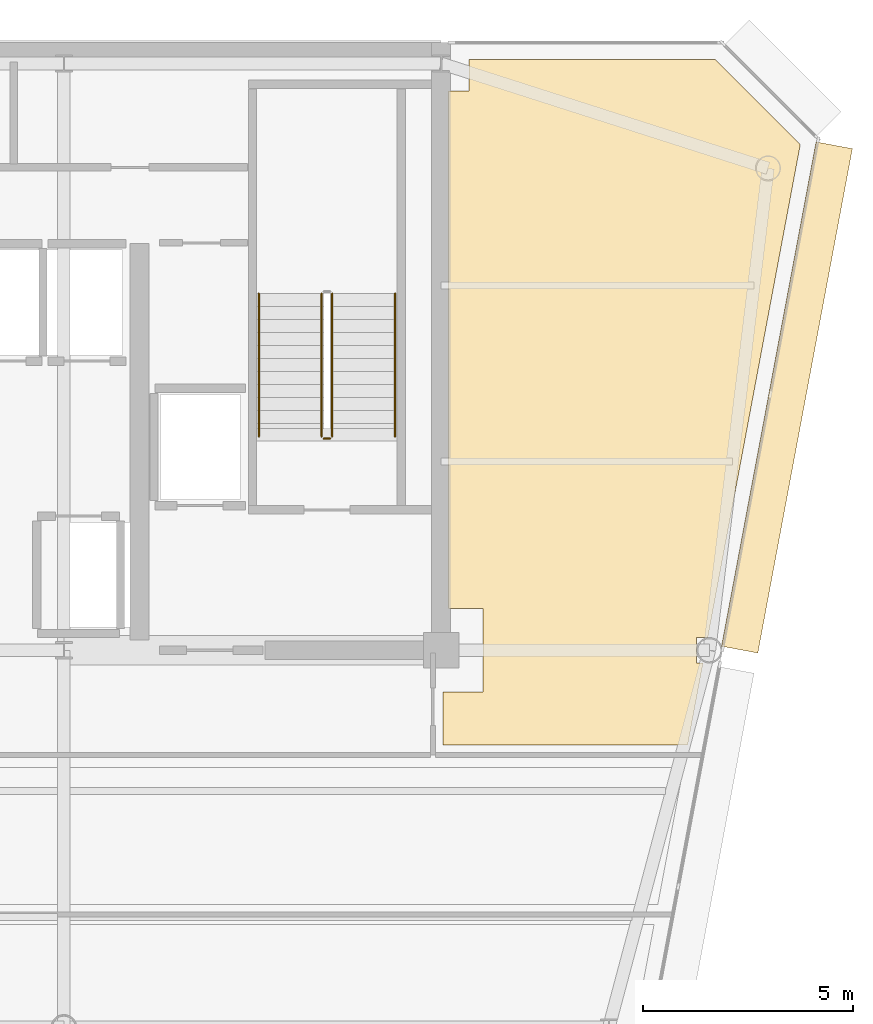
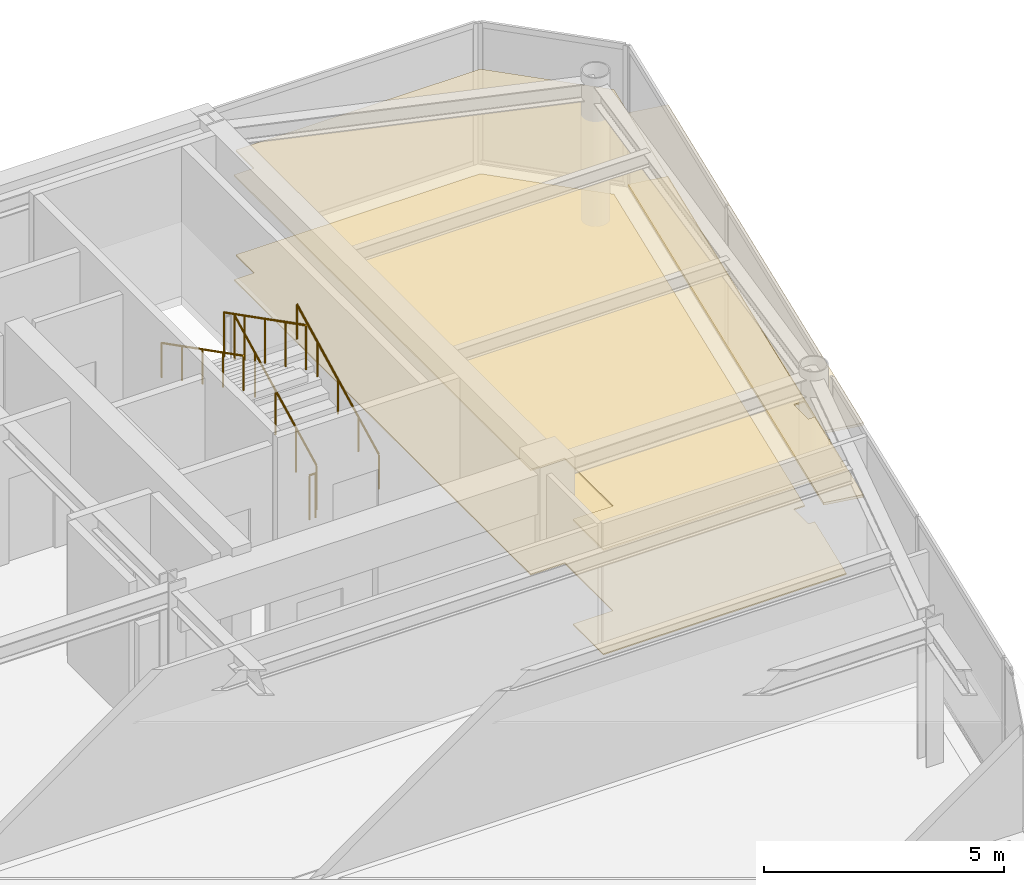
# One storey, part 17 of 20: 5 railings, 4 coverings.
"""IFC4 building model written with IfcOpenShell, lengths in metres."""

from ifc_helpers import new_model, si_unit, direction, frame, origin, origin_2d, place, context, subcontext, project, spatial, polyline, rectangle, circle, outline, extrude, source, transform, mapped, material, layer, layer_set, type_object, element, save


model = new_model("IFC4")

# Units and contexts
model_context = context("Model", 3, precision=1e-05, world=origin(), true_north=direction((0.0, 1.0)))
body_context = subcontext(model_context, "Body", "Model", "MODEL_VIEW")
ifc_project = project(units=[si_unit("LENGTHUNIT", "METRE"), si_unit("AREAUNIT", "SQUARE_METRE"), si_unit("VOLUMEUNIT", "CUBIC_METRE"), si_unit("PLANEANGLEUNIT", "RADIAN"), si_unit("MASSUNIT", "GRAM", prefix="KILO")], contexts=[model_context])

# Site, building, storey
site_placement = place(None, origin())
site = spatial("IfcSite", under=ifc_project, at=site_placement, CompositionType="ELEMENT")
building_placement = place(site_placement, origin())
building = spatial("IfcBuilding", under=site, at=building_placement, Name="Vaeldorn Concourse Tower", CompositionType="ELEMENT")
storey_placement = place(building_placement, frame((0.0, 0.0, 280.199951171875)))
storey = spatial("IfcBuildingStorey", under=building, at=storey_placement, Name="L72", CompositionType="ELEMENT", Elevation=280.199951171875)

# Coverings
ifc_material_1 = material(Name="Acoustic Mineral Fibre Board", Category="gypsum")
ifc_layer_1 = layer(ifc_material_1, 0.0400390625)
ifc_layer_set_1 = layer_set([ifc_layer_1], Name="Acoustic Mineral Fibre Board")
covering_type_1 = type_object("IfcCoveringType", Name="COV-CEIL-ACOUSTIC", PredefinedType="CEILING", material=ifc_layer_set_1)
covering_1_placement = place(storey_placement, frame((0.0, 0.0, 2.650146484375)))
element("IfcCovering", 1, at=covering_1_placement, inside=storey, type_object=covering_type_1, Name="Suspended Acoustic Ceiling L72-5", PredefinedType="CEILING", context=body_context, shape_type="SweptSolid", body=[
    extrude(outline(polyline([(54.179931640625, 49.840087890625), (54.659912109375, 49.840087890625), (54.659912109375, 50.60009765625), (60.5341796875, 50.60009765625), (62.568115234375, 48.56640625), (60.459716796875, 37.320068359375), (60.459716796875, 37.320068359375), (60.36328125, 36.804931640625), (60.094970703125, 36.804931640625), (60.094970703125, 36.195068359375), (60.248779296875, 36.195068359375), (59.88232421875, 34.239990234375), (54.0400390625, 34.239990234375), (54.0400390625, 35.5), (55.0, 35.5), (55.0, 37.5), (54.179931640625, 37.5), (54.179931640625, 49.840087890625)])), origin(), (0.0, 0.0, 1.0), 0.039794921875),
])
ifc_material_2 = material(Name="Honed Limestone Terrazzo Flooring", Category="masonry")
ifc_layer_2 = layer(ifc_material_2, 0.0400390625)
ifc_layer_set_2 = layer_set([ifc_layer_2], Name="Honed Limestone Terrazzo Flooring")
covering_type_2 = type_object("IfcCoveringType", Name="COV-FLOOR-STONE", PredefinedType="FLOORING", material=ifc_layer_set_2)
covering_2_placement = place(storey_placement, origin())
element("IfcCovering", 2, at=covering_2_placement, inside=storey, type_object=covering_type_2, Name="Floor Finish Covering L72-5", PredefinedType="FLOORING", context=body_context, shape_type="SweptSolid", body=[
    extrude(outline(polyline([(54.179931640625, 49.840087890625), (54.659912109375, 49.840087890625), (54.659912109375, 50.60009765625), (60.5341796875, 50.60009765625), (62.568115234375, 48.56640625), (60.459716796875, 37.320068359375), (60.459716796875, 37.320068359375), (60.36328125, 36.804931640625), (60.094970703125, 36.804931640625), (60.094970703125, 36.195068359375), (60.248779296875, 36.195068359375), (59.88232421875, 34.239990234375), (54.0400390625, 34.239990234375), (54.0400390625, 35.5), (55.0, 35.5), (55.0, 37.5), (54.179931640625, 37.5), (54.179931640625, 49.840087890625)])), origin(), (0.0, 0.0, 1.0), 0.030029296875),
])

# Railings
ifc_material_3 = material(Name="Anodised Bronze Aluminium", Category="aluminium")
railing_type_1 = type_object("IfcRailingType", Name="RL-STAIR-GUARD", PredefinedType="GUARDRAIL", material=ifc_material_3)
railing_1_placement = place(storey_placement, frame((51.39990234375, 41.60009765625, 0.158447265625)))
element("IfcRailing", 3, at=railing_1_placement, inside=storey, type_object=railing_type_1, Name="L72 ST-2 stair guard 1", PredefinedType="GUARDRAIL", context=body_context, shape_type="SweptSolid", body=[
    extrude(circle(Radius=0.02392578125, at=origin_2d()), frame((0.0, 0.0, 1.1259765625), z_axis=(0.0, 0.890555807335, 0.454873997962), x_axis=(-1.0, 0.0, 0.0)), (0.0, 0.0, 1.0), 3.828857421875),
    extrude(circle(Radius=0.02099609375, at=origin_2d()), origin(), (0.0, 0.0, 1.0), 1.101806640625),
    extrude(circle(Radius=0.02099609375, at=origin_2d()), frame((0.0, 0.8525390625, 0.435546875)), (0.0, 0.0, 1.0), 1.101806640625),
    extrude(circle(Radius=0.02099609375, at=origin_2d()), frame((0.0, 1.705078125, 0.870849609375)), (0.0, 0.0, 1.0), 1.101806640625),
    extrude(circle(Radius=0.02099609375, at=origin_2d()), frame((0.0, 2.557373046875, 1.30615234375)), (0.0, 0.0, 1.0), 1.101806640625),
    extrude(circle(Radius=0.02099609375, at=origin_2d()), frame((0.0, 3.409912109375, 1.74169921875)), (0.0, 0.0, 1.0), 1.101806640625),
])
railing_2_placement = place(storey_placement, frame((51.14990234375, 45.010009765625, 2.058349609375)))
element("IfcRailing", 4, at=railing_2_placement, inside=storey, type_object=railing_type_1, Name="L72 ST-2 stair guard 3", PredefinedType="GUARDRAIL", context=body_context, shape_type="SweptSolid", body=[
    extrude(circle(Radius=0.02392578125, at=origin_2d()), frame((0.0, 0.0, 1.1259765625), z_axis=(0.0, -0.890555807335, 0.454873997962), x_axis=(1.0, 0.0, 0.0)), (0.0, 0.0, 1.0), 3.828857421875),
    extrude(circle(Radius=0.02099609375, at=origin_2d()), origin(), (0.0, 0.0, 1.0), 1.101806640625),
    extrude(circle(Radius=0.02099609375, at=origin_2d()), frame((0.0, -0.8525390625, 0.435546875)), (0.0, 0.0, 1.0), 1.101806640625),
    extrude(circle(Radius=0.02099609375, at=origin_2d()), frame((0.0, -1.705078125, 0.870849609375)), (0.0, 0.0, 1.0), 1.101806640625),
    extrude(circle(Radius=0.02099609375, at=origin_2d()), frame((0.0, -2.557373046875, 1.30615234375)), (0.0, 0.0, 1.0), 1.101806640625),
    extrude(circle(Radius=0.02099609375, at=origin_2d()), frame((0.0, -3.409912109375, 1.74169921875)), (0.0, 0.0, 1.0), 1.101806640625),
])
railing_3_placement = place(storey_placement, frame((51.35009765625, 41.550048828125, 0.0)))
element("IfcRailing", 5, at=railing_3_placement, inside=storey, type_object=railing_type_1, Name="L72 ST-2 stair guard 4", PredefinedType="GUARDRAIL", context=body_context, shape_type="SweptSolid", body=[
    extrude(circle(Radius=0.02392578125, at=origin_2d()), frame((0.0, 0.0, 1.1259765625), z_axis=(-1.0, 0.0, 0.0), x_axis=(0.0, -1.0, 0.0)), (0.0, 0.0, 1.0), 0.150146484375),
    extrude(circle(Radius=0.02099609375, at=origin_2d()), origin(), (0.0, 0.0, 1.0), 1.101806640625),
    extrude(circle(Radius=0.02099609375, at=origin_2d()), frame((-0.150146484375, 0.0, 0.0)), (0.0, 0.0, 1.0), 1.101806640625),
])
railing_type_2 = type_object("IfcRailingType", Name="RL-STAIR-HANDRAIL", PredefinedType="HANDRAIL", material=ifc_material_3)
railing_4_placement = place(storey_placement, frame((52.89990234375, 41.60009765625, 0.158447265625)))
element("IfcRailing", 6, at=railing_4_placement, inside=storey, type_object=railing_type_2, Name="L72 ST-2 stair handrail 1", PredefinedType="HANDRAIL", context=body_context, shape_type="SweptSolid", body=[
    extrude(circle(Radius=0.02392578125, at=origin_2d()), frame((0.0, 0.0, 0.8759765625), z_axis=(0.0, 0.890555807335, 0.454873997962), x_axis=(-1.0, 0.0, 0.0)), (0.0, 0.0, 1.0), 3.828857421875),
    extrude(circle(Radius=0.02099609375, at=origin_2d()), origin(), (0.0, 0.0, 1.0), 0.851806640625),
    extrude(circle(Radius=0.02099609375, at=origin_2d()), frame((0.0, 0.8525390625, 0.435546875)), (0.0, 0.0, 1.0), 0.851806640625),
    extrude(circle(Radius=0.02099609375, at=origin_2d()), frame((0.0, 1.705078125, 0.870849609375)), (0.0, 0.0, 1.0), 0.851806640625),
    extrude(circle(Radius=0.02099609375, at=origin_2d()), frame((0.0, 2.557373046875, 1.30615234375)), (0.0, 0.0, 1.0), 0.851806640625),
    extrude(circle(Radius=0.02099609375, at=origin_2d()), frame((0.0, 3.409912109375, 1.74169921875)), (0.0, 0.0, 1.0), 0.851806640625),
])
railing_5_placement = place(storey_placement, frame((49.64990234375, 45.010009765625, 2.058349609375)))
element("IfcRailing", 7, at=railing_5_placement, inside=storey, type_object=railing_type_2, Name="L72 ST-2 stair handrail 2", PredefinedType="HANDRAIL", context=body_context, shape_type="SweptSolid", body=[
    extrude(circle(Radius=0.02392578125, at=origin_2d()), frame((0.0, 0.0, 0.8759765625), z_axis=(0.0, -0.890555807335, 0.454873997962), x_axis=(1.0, 0.0, 0.0)), (0.0, 0.0, 1.0), 3.828857421875),
    extrude(circle(Radius=0.02099609375, at=origin_2d()), origin(), (0.0, 0.0, 1.0), 0.851806640625),
    extrude(circle(Radius=0.02099609375, at=origin_2d()), frame((0.0, -0.8525390625, 0.435546875)), (0.0, 0.0, 1.0), 0.851806640625),
    extrude(circle(Radius=0.02099609375, at=origin_2d()), frame((0.0, -1.705078125, 0.870849609375)), (0.0, 0.0, 1.0), 0.851806640625),
    extrude(circle(Radius=0.02099609375, at=origin_2d()), frame((0.0, -2.557373046875, 1.30615234375)), (0.0, 0.0, 1.0), 0.851806640625),
    extrude(circle(Radius=0.02099609375, at=origin_2d()), frame((0.0, -3.409912109375, 1.74169921875)), (0.0, 0.0, 1.0), 0.851806640625),
])

# Coverings
ifc_layer_3 = layer(ifc_material_3, 0.06494140625)
ifc_layer_set_3 = layer_set([ifc_layer_3], Name="Anodised Bronze Aluminium")
covering_type_3 = type_object("IfcCoveringType", Name="SD-BRONZE-SUNSHADE", PredefinedType="USERDEFINED", material=ifc_layer_set_3)
shared_shape = source(origin(), body_context, "Body", "SweptSolid", [
    extrude(rectangle(XDim=12.241943359375, YDim=0.8798828125, at=origin_2d()), origin(), (0.0, 0.0, 1.0), 0.06494140625),
])
for number, where, z_axis, x_axis, name in (
    (8, (62.250732421875, 42.531494140625, 0.047607421875), (0.0, 0.0, 1.0), (0.1842429853, 0.98288072642, 0.0), "Horizontal Bronze Sunshade L72-E07.2.1"),
    (9, (62.250732421875, 42.531494140625, 1.86767578125), (0.0, 0.0, 1.0), (0.1842429853, 0.98288072642, 0.0), "Horizontal Bronze Sunshade L72-E07.2.2"),
):
    element("IfcCovering", number, at=place(storey_placement, frame(where, z_axis=z_axis, x_axis=x_axis)), inside=storey, type_object=covering_type_3, Name=name, ObjectType="SUNSHADE", PredefinedType="USERDEFINED", context=body_context, shape_type="MappedRepresentation", body=[
        mapped(shared_shape, transform((0.0, 0.0, 0.0), scale=1.0)),
    ])

save(model, "model.ifc")
